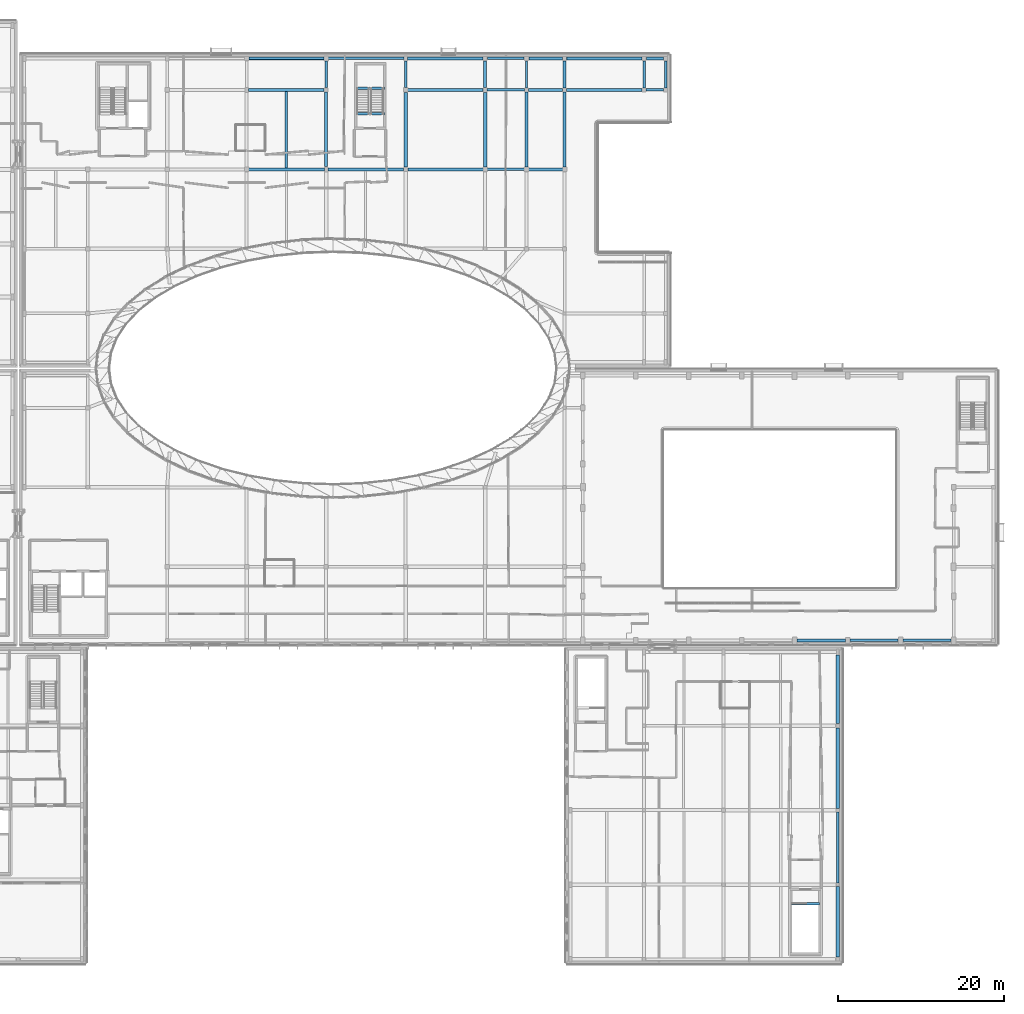
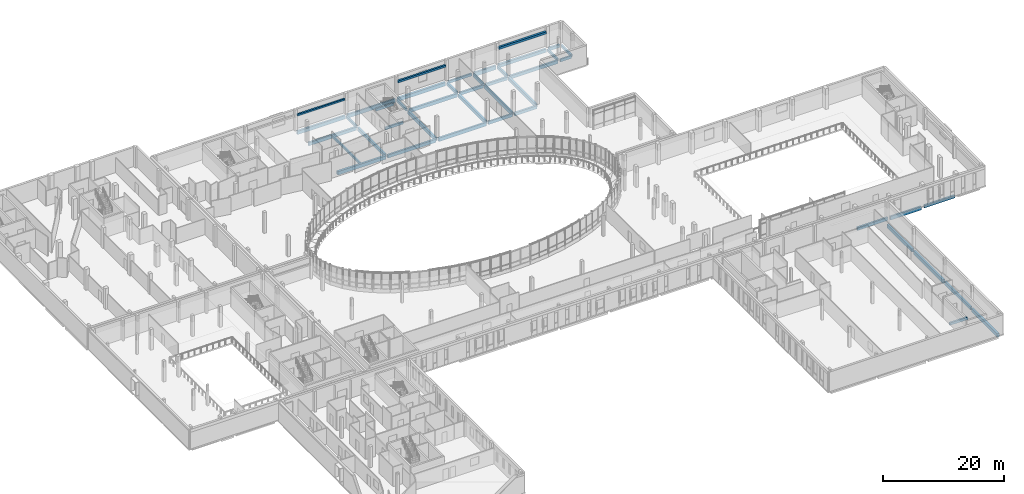
# One storey, part 28 of 84: 44 beams.
"""IFC4 building model written with IfcOpenShell, lengths in metres."""

from ifc_helpers import new_model, si_unit, direction, frame, origin, origin_2d, place, context, subcontext, project, spatial, rectangle, extrude, material, material_profile, profile_set, type_object, element, save


model = new_model("IFC4")

# Units and contexts
model_context = context("Model", 3, precision=1e-05, world=origin(), true_north=direction((0.0, 1.0)))
body_context = subcontext(model_context, "Body", "Model", "MODEL_VIEW")
ifc_project = project(units=[si_unit("LENGTHUNIT", "METRE"), si_unit("AREAUNIT", "SQUARE_METRE"), si_unit("VOLUMEUNIT", "CUBIC_METRE"), si_unit("PLANEANGLEUNIT", "RADIAN"), si_unit("MASSUNIT", "GRAM", prefix="KILO")], contexts=[model_context])

# Site, building, storey
site_placement = place(None, origin())
site = spatial("IfcSite", under=ifc_project, at=site_placement, CompositionType="ELEMENT")
building_placement = place(site_placement, origin())
building = spatial("IfcBuilding", under=site, at=building_placement, Name="Mzevani Central Library", CompositionType="ELEMENT")
storey_placement = place(building_placement, frame((0.0, 0.0, 5.39990234375)))
storey = spatial("IfcBuildingStorey", under=building, at=storey_placement, Name="L01", CompositionType="ELEMENT", Elevation=5.39990234375)

# Beams
ifc_material_1 = material(Name="Concrete C35/45", Category="concrete")
ifc_material_profile_1 = material_profile(ifc_material_1, rectangle(XDim=0.300048828125, YDim=0.5, at=origin_2d()), Name="RC B300x500")
ifc_profile_set_1 = profile_set([ifc_material_profile_1], Name="Concrete C35/45")
beam_type_1 = type_object("IfcBeamType", Name="Beam RC 300x500", PredefinedType="BEAM", material=ifc_profile_set_1)
beam_1_placement = place(storey_placement, frame((102.675048828125, 113.39990234375, -0.52978515625), z_axis=(1.0, 0.0, 0.0), x_axis=(0.0, 1.0, 0.0)))
element("IfcBeam", 1, at=beam_1_placement, inside=storey, type_object=beam_type_1, Name="L01 V3 Girder B-01 (488)", PredefinedType="BEAM", context=body_context, shape_type="SweptSolid", body=[
    extrude(rectangle(XDim=0.300048828125, YDim=0.5, at=origin_2d()), origin(), (0.0, 0.0, 1.0), 4.449951171875),
])
beam_2_placement = place(storey_placement, frame((92.800048828125, 109.89990234375, -0.52978515625), z_axis=(0.0, 1.0, 0.0), x_axis=(-1.0, 0.0, 0.0)))
element("IfcBeam", 2, at=beam_2_placement, inside=storey, type_object=beam_type_1, Name="L01 V3 Frame Beam B-01 (512)", PredefinedType="BEAM", context=body_context, shape_type="SweptSolid", body=[
    extrude(rectangle(XDim=0.300048828125, YDim=0.5, at=origin_2d()), origin(), (0.0, 0.0, 1.0), 3.175048828125),
])
beam_3_placement = place(storey_placement, frame((121.60009765625, 109.85009765625, -0.52978515625), z_axis=(0.0, 1.0, 0.0), x_axis=(-1.0, 0.0, 0.0)))
element("IfcBeam", 3, at=beam_3_placement, inside=storey, type_object=beam_type_1, Name="L01 V3 Frame Beam B-01 (528)", PredefinedType="BEAM", context=body_context, shape_type="SweptSolid", body=[
    extrude(rectangle(XDim=0.300048828125, YDim=0.5, at=origin_2d()), origin(), (0.0, 0.0, 1.0), 3.27490234375),
])
for number, where, z_axis, x_axis, name in (
    (4, (86.780029296875, 109.780029296875, 1.650146484375), (1.0, 0.0, 0.0), (0.0, 1.0, 0.0), "L01 Core C3B Atrium East Escape Stair Stair Landing Beam 1"),
    (5, (86.780029296875, 106.699951171875, -0.25), (1.0, 0.0, 0.0), (0.0, 1.0, 0.0), "L01 Core C3B Atrium East Escape Stair Stair Opening Trimmer Beam"),
):
    element("IfcBeam", number, at=place(storey_placement, frame(where, z_axis=z_axis, x_axis=x_axis)), inside=storey, type_object=beam_type_1, Name=name, PredefinedType="BEAM", context=body_context, shape_type="SweptSolid", body=[
        extrude(rectangle(XDim=0.300048828125, YDim=0.5, at=origin_2d()), origin(), (0.0, 0.0, 1.0), 3.43994140625),
    ])
beam_4_placement = place(storey_placement, frame((139.3798828125, 11.300048828125, -0.25), z_axis=(1.0, 0.0, 0.0), x_axis=(0.0, 1.0, 0.0)))
element("IfcBeam", 6, at=beam_4_placement, inside=storey, type_object=beam_type_1, Name="L01 Core C6B Children's Pavilion East Stair Stair Opening Trimmer Beam", PredefinedType="BEAM", context=body_context, shape_type="SweptSolid", body=[
    extrude(rectangle(XDim=0.300048828125, YDim=0.5, at=origin_2d()), origin(), (0.0, 0.0, 1.0), 3.440185546875),
])
ifc_material_profile_2 = material_profile(ifc_material_1, rectangle(XDim=0.300048828125, YDim=0.550048828125, at=origin_2d()), Name="RC B300x550")
ifc_profile_set_2 = profile_set([ifc_material_profile_2], Name="Concrete C35/45")
beam_type_2 = type_object("IfcBeamType", Name="Beam RC 300x550", PredefinedType="BEAM", material=ifc_profile_set_2)
beam_5_placement = place(storey_placement, frame((152.89990234375, 43.10009765625, -0.534912109375), z_axis=(1.0, 0.0, 0.0), x_axis=(0.0, 1.0, 0.0)))
element("IfcBeam", 7, at=beam_5_placement, inside=storey, type_object=beam_type_2, Name="L01 V1 Girder B-02 (13)", PredefinedType="BEAM", context=body_context, shape_type="SweptSolid", body=[
    extrude(rectangle(XDim=0.300048828125, YDim=0.550048828125, at=origin_2d()), origin(), (0.0, 0.0, 1.0), 5.800048828125),
])
beam_6_placement = place(storey_placement, frame((121.85009765625, 109.60009765625, -0.554931640625), z_axis=(1.0, 0.0, 0.0), x_axis=(0.0, 1.0, 0.0)))
element("IfcBeam", 8, at=beam_6_placement, inside=storey, type_object=beam_type_2, Name="L01 V3 Girder B-02 (481)", PredefinedType="BEAM", context=body_context, shape_type="SweptSolid", body=[
    extrude(rectangle(XDim=0.300048828125, YDim=0.550048828125, at=origin_2d()), origin(), (0.0, 0.0, 1.0), 2.099853515625),
])
beam_7_placement = place(storey_placement, frame((83.199951171875, 109.875, -0.554931640625), z_axis=(0.0, 1.0, 0.0), x_axis=(-1.0, 0.0, 0.0)))
element("IfcBeam", 9, at=beam_7_placement, inside=storey, type_object=beam_type_2, Name="L01 V3 Frame Beam B-02 (509)", PredefinedType="BEAM", context=body_context, shape_type="SweptSolid", body=[
    extrude(rectangle(XDim=0.300048828125, YDim=0.550048828125, at=origin_2d()), origin(), (0.0, 0.0, 1.0), 3.22509765625),
])
beam_8_placement = place(storey_placement, frame((124.199951171875, 109.85009765625, -0.554931640625), z_axis=(0.0, 1.0, 0.0), x_axis=(-1.0, 0.0, 0.0)))
element("IfcBeam", 10, at=beam_8_placement, inside=storey, type_object=beam_type_2, Name="L01 V3 Frame Beam B-02 (533)", PredefinedType="BEAM", context=body_context, shape_type="SweptSolid", body=[
    extrude(rectangle(XDim=0.300048828125, YDim=0.550048828125, at=origin_2d()), origin(), (0.0, 0.0, 1.0), 3.27490234375),
])
ifc_material_profile_3 = material_profile(ifc_material_1, rectangle(XDim=0.300048828125, YDim=0.60009765625, at=origin_2d()), Name="RC B300x600")
ifc_profile_set_3 = profile_set([ifc_material_profile_3], Name="Concrete C35/45")
beam_type_3 = type_object("IfcBeamType", Name="Beam RC 300x600", PredefinedType="BEAM", material=ifc_profile_set_3)
beam_9_placement = place(storey_placement, frame((102.60009765625, 100.0, -0.579833984375), z_axis=(1.0, 0.0, 0.0), x_axis=(0.0, 1.0, 0.0)))
element("IfcBeam", 11, at=beam_9_placement, inside=storey, type_object=beam_type_3, Name="L01 V3 Girder B-03 (470)", PredefinedType="BEAM", context=body_context, shape_type="SweptSolid", body=[
    extrude(rectangle(XDim=0.300048828125, YDim=0.60009765625, at=origin_2d()), origin(), (0.0, 0.0, 1.0), 4.599853515625),
])
beam_10_placement = place(storey_placement, frame((102.625, 109.60009765625, -0.579833984375), z_axis=(1.0, 0.0, 0.0), x_axis=(0.0, 1.0, 0.0)))
element("IfcBeam", 12, at=beam_10_placement, inside=storey, type_object=beam_type_3, Name="L01 V3 Girder B-03 (478)", PredefinedType="BEAM", context=body_context, shape_type="SweptSolid", body=[
    extrude(rectangle(XDim=0.300048828125, YDim=0.60009765625, at=origin_2d()), origin(), (0.0, 0.0, 1.0), 4.52490234375),
])
beam_11_placement = place(storey_placement, frame((107.39990234375, 109.85009765625, -0.579833984375), z_axis=(0.0, 1.0, 0.0), x_axis=(-1.0, 0.0, 0.0)))
element("IfcBeam", 13, at=beam_11_placement, inside=storey, type_object=beam_type_3, Name="L01 V3 Frame Beam B-03 (518)", PredefinedType="BEAM", context=body_context, shape_type="SweptSolid", body=[
    extrude(rectangle(XDim=0.300048828125, YDim=0.60009765625, at=origin_2d()), origin(), (0.0, 0.0, 1.0), 3.27490234375),
])
ifc_material_profile_4 = material_profile(ifc_material_1, rectangle(XDim=0.35009765625, YDim=0.60009765625, at=origin_2d()), Name="RC B350x600")
ifc_profile_set_4 = profile_set([ifc_material_profile_4], Name="Concrete C35/45")
beam_type_4 = type_object("IfcBeamType", Name="Beam RC 350x600", PredefinedType="BEAM", material=ifc_profile_set_4)
beam_12_placement = place(storey_placement, frame((140.10009765625, 43.10009765625, -0.559814453125), z_axis=(1.0, 0.0, 0.0), x_axis=(0.0, 1.0, 0.0)))
element("IfcBeam", 14, at=beam_12_placement, inside=storey, type_object=beam_type_4, Name="L01 V1 Girder B-04 (11)", PredefinedType="BEAM", context=body_context, shape_type="SweptSolid", body=[
    extrude(rectangle(XDim=0.35009765625, YDim=0.60009765625, at=origin_2d()), origin(), (0.0, 0.0, 1.0), 5.849853515625),
])
beam_13_placement = place(storey_placement, frame((107.60009765625, 100.0, -0.579833984375), z_axis=(1.0, 0.0, 0.0), x_axis=(0.0, 1.0, 0.0)))
element("IfcBeam", 15, at=beam_13_placement, inside=storey, type_object=beam_type_4, Name="L01 V3 Girder B-04 (471)", PredefinedType="BEAM", context=body_context, shape_type="SweptSolid", body=[
    extrude(rectangle(XDim=0.35009765625, YDim=0.60009765625, at=origin_2d()), origin(), (0.0, 0.0, 1.0), 4.199951171875),
])
beam_14_placement = place(storey_placement, frame((107.64990234375, 109.60009765625, -0.579833984375), z_axis=(1.0, 0.0, 0.0), x_axis=(0.0, 1.0, 0.0)))
element("IfcBeam", 16, at=beam_14_placement, inside=storey, type_object=beam_type_4, Name="L01 V3 Girder B-04 (479)", PredefinedType="BEAM", context=body_context, shape_type="SweptSolid", body=[
    extrude(rectangle(XDim=0.35009765625, YDim=0.60009765625, at=origin_2d()), origin(), (0.0, 0.0, 1.0), 4.10009765625),
])
beam_15_placement = place(storey_placement, frame((121.875, 113.39990234375, -0.579833984375), z_axis=(1.0, 0.0, 0.0), x_axis=(0.0, 1.0, 0.0)))
element("IfcBeam", 17, at=beam_15_placement, inside=storey, type_object=beam_type_4, Name="L01 V3 Girder B-04 (491)", PredefinedType="BEAM", context=body_context, shape_type="SweptSolid", body=[
    extrude(rectangle(XDim=0.35009765625, YDim=0.60009765625, at=origin_2d()), origin(), (0.0, 0.0, 1.0), 2.050048828125),
])
beam_16_placement = place(storey_placement, frame((102.39990234375, 109.925048828125, -0.579833984375), z_axis=(0.0, 1.0, 0.0), x_axis=(-1.0, 0.0, 0.0)))
element("IfcBeam", 18, at=beam_16_placement, inside=storey, type_object=beam_type_4, Name="L01 V3 Frame Beam B-04 (515)", PredefinedType="BEAM", context=body_context, shape_type="SweptSolid", body=[
    extrude(rectangle(XDim=0.35009765625, YDim=0.60009765625, at=origin_2d()), origin(), (0.0, 0.0, 1.0), 3.199951171875),
])
beam_17_placement = place(storey_placement, frame((112.0, 109.85009765625, -0.579833984375), z_axis=(0.0, 1.0, 0.0), x_axis=(-1.0, 0.0, 0.0)))
element("IfcBeam", 19, at=beam_17_placement, inside=storey, type_object=beam_type_4, Name="L01 V3 Frame Beam B-04 (523)", PredefinedType="BEAM", context=body_context, shape_type="SweptSolid", body=[
    extrude(rectangle(XDim=0.35009765625, YDim=0.60009765625, at=origin_2d()), origin(), (0.0, 0.0, 1.0), 3.27490234375),
])
ifc_material_profile_5 = material_profile(ifc_material_1, rectangle(XDim=0.35009765625, YDim=0.64990234375, at=origin_2d()), Name="RC B350x650")
ifc_profile_set_5 = profile_set([ifc_material_profile_5], Name="Concrete C35/45")
beam_type_5 = type_object("IfcBeamType", Name="Beam RC 350x650", PredefinedType="BEAM", material=ifc_profile_set_5)
beam_18_placement = place(storey_placement, frame((83.425048828125, 100.0, -0.60498046875), z_axis=(1.0, 0.0, 0.0), x_axis=(0.0, 1.0, 0.0)))
element("IfcBeam", 20, at=beam_18_placement, inside=storey, type_object=beam_type_5, Name="L01 V3 Girder B-05 (468)", PredefinedType="BEAM", context=body_context, shape_type="SweptSolid", body=[
    extrude(rectangle(XDim=0.35009765625, YDim=0.64990234375, at=origin_2d()), origin(), (0.0, 0.0, 1.0), 9.099853515625),
])
for number, where, z_axis, x_axis, name in (
    (21, (73.824951171875, 109.60009765625, -0.60498046875), (1.0, 0.0, 0.0), (0.0, 1.0, 0.0), "L01 V3 Girder B-05 (476)"),
    (22, (112.25, 109.60009765625, -0.60498046875), (1.0, 0.0, 0.0), (0.0, 1.0, 0.0), "L01 V3 Girder B-05 (480)"),
):
    element("IfcBeam", number, at=place(storey_placement, frame(where, z_axis=z_axis, x_axis=x_axis)), inside=storey, type_object=beam_type_5, Name=name, PredefinedType="BEAM", context=body_context, shape_type="SweptSolid", body=[
        extrude(rectangle(XDim=0.35009765625, YDim=0.64990234375, at=origin_2d()), origin(), (0.0, 0.0, 1.0), 9.10009765625),
    ])
beam_19_placement = place(storey_placement, frame((83.199951171875, 100.324951171875, -0.60498046875), z_axis=(0.0, 1.0, 0.0), x_axis=(-1.0, 0.0, 0.0)))
element("IfcBeam", 23, at=beam_19_placement, inside=storey, type_object=beam_type_5, Name="L01 V3 Frame Beam B-05 (508)", PredefinedType="BEAM", context=body_context, shape_type="SweptSolid", body=[
    extrude(rectangle(XDim=0.35009765625, YDim=0.64990234375, at=origin_2d()), origin(), (0.0, 0.0, 1.0), 9.0),
])
beam_20_placement = place(storey_placement, frame((145.0, 13.800048828125, -0.5849609375), z_axis=(0.0, 1.0, 0.0), x_axis=(-1.0, 0.0, 0.0)))
element("IfcBeam", 24, at=beam_20_placement, inside=storey, type_object=beam_type_5, Name="L01 V6 Frame Beam B-05 (1064)", PredefinedType="BEAM", context=body_context, shape_type="SweptSolid", body=[
    extrude(rectangle(XDim=0.35009765625, YDim=0.64990234375, at=origin_2d()), origin(), (0.0, 0.0, 1.0), 8.574951171875),
])
ifc_material_profile_6 = material_profile(ifc_material_1, rectangle(XDim=0.35009765625, YDim=0.699951171875, at=origin_2d()), Name="RC B350x700")
ifc_profile_set_6 = profile_set([ifc_material_profile_6], Name="Concrete C35/45")
beam_type_6 = type_object("IfcBeamType", Name="Beam RC 350x700", PredefinedType="BEAM", material=ifc_profile_set_6)
beam_21_placement = place(storey_placement, frame((93.074951171875, 100.0, -0.6298828125), z_axis=(1.0, 0.0, 0.0), x_axis=(0.0, 1.0, 0.0)))
element("IfcBeam", 25, at=beam_21_placement, inside=storey, type_object=beam_type_6, Name="L01 V3 Girder B-06 (469)", PredefinedType="BEAM", context=body_context, shape_type="SweptSolid", body=[
    extrude(rectangle(XDim=0.35009765625, YDim=0.699951171875, at=origin_2d()), origin(), (0.0, 0.0, 1.0), 9.125),
])
beam_22_placement = place(storey_placement, frame((93.0, 109.60009765625, -0.6298828125), z_axis=(1.0, 0.0, 0.0), x_axis=(0.0, 1.0, 0.0)))
element("IfcBeam", 26, at=beam_22_placement, inside=storey, type_object=beam_type_6, Name="L01 V3 Girder B-06 (477)", PredefinedType="BEAM", context=body_context, shape_type="SweptSolid", body=[
    extrude(rectangle(XDim=0.35009765625, YDim=0.699951171875, at=origin_2d()), origin(), (0.0, 0.0, 1.0), 9.175048828125),
])
beam_23_placement = place(storey_placement, frame((73.875, 113.39990234375, -0.6298828125), z_axis=(1.0, 0.0, 0.0), x_axis=(0.0, 1.0, 0.0)))
element("IfcBeam", 27, at=beam_23_placement, inside=storey, type_object=beam_type_6, Name="L01 V3 Girder B-06 (485)", PredefinedType="BEAM", context=body_context, shape_type="SweptSolid", body=[
    extrude(rectangle(XDim=0.35009765625, YDim=0.699951171875, at=origin_2d()), origin(), (0.0, 0.0, 1.0), 9.125),
])
beam_24_placement = place(storey_placement, frame((107.39990234375, 100.300048828125, -0.6298828125), z_axis=(0.0, 1.0, 0.0), x_axis=(-1.0, 0.0, 0.0)))
element("IfcBeam", 28, at=beam_24_placement, inside=storey, type_object=beam_type_6, Name="L01 V3 Frame Beam B-06 (517)", PredefinedType="BEAM", context=body_context, shape_type="SweptSolid", body=[
    extrude(rectangle(XDim=0.35009765625, YDim=0.699951171875, at=origin_2d()), origin(), (0.0, 0.0, 1.0), 9.050048828125),
])
ifc_material_profile_7 = material_profile(ifc_material_1, rectangle(XDim=0.39990234375, YDim=0.64990234375, at=origin_2d()), Name="RC B400x650")
ifc_profile_set_7 = profile_set([ifc_material_profile_7], Name="Concrete C35/45")
beam_type_7 = type_object("IfcBeamType", Name="Beam RC 400x650", PredefinedType="BEAM", material=ifc_profile_set_7)
beam_25_placement = place(storey_placement, frame((112.27490234375, 113.39990234375, -0.60498046875), z_axis=(1.0, 0.0, 0.0), x_axis=(0.0, 1.0, 0.0)))
element("IfcBeam", 29, at=beam_25_placement, inside=storey, type_object=beam_type_7, Name="L01 V3 Girder B-07 (490)", PredefinedType="BEAM", context=body_context, shape_type="SweptSolid", body=[
    extrude(rectangle(XDim=0.39990234375, YDim=0.64990234375, at=origin_2d()), origin(), (0.0, 0.0, 1.0), 9.050048828125),
])
beam_26_placement = place(storey_placement, frame((102.39990234375, 100.300048828125, -0.60498046875), z_axis=(0.0, 1.0, 0.0), x_axis=(-1.0, 0.0, 0.0)))
element("IfcBeam", 30, at=beam_26_placement, inside=storey, type_object=beam_type_7, Name="L01 V3 Frame Beam B-07 (514)", PredefinedType="BEAM", context=body_context, shape_type="SweptSolid", body=[
    extrude(rectangle(XDim=0.39990234375, YDim=0.64990234375, at=origin_2d()), origin(), (0.0, 0.0, 1.0), 8.974853515625),
])
beam_27_placement = place(storey_placement, frame((112.0, 100.300048828125, -0.60498046875), z_axis=(0.0, 1.0, 0.0), x_axis=(-1.0, 0.0, 0.0)))
element("IfcBeam", 31, at=beam_27_placement, inside=storey, type_object=beam_type_7, Name="L01 V3 Frame Beam B-07 (522)", PredefinedType="BEAM", context=body_context, shape_type="SweptSolid", body=[
    extrude(rectangle(XDim=0.39990234375, YDim=0.64990234375, at=origin_2d()), origin(), (0.0, 0.0, 1.0), 9.050048828125),
])
beam_28_placement = place(storey_placement, frame((145.0, 33.050048828125, -0.5849609375), z_axis=(0.0, 1.0, 0.0), x_axis=(-1.0, 0.0, 0.0)))
element("IfcBeam", 32, at=beam_28_placement, inside=storey, type_object=beam_type_7, Name="L01 V6 Frame Beam B-07 (1066)", PredefinedType="BEAM", context=body_context, shape_type="SweptSolid", body=[
    extrude(rectangle(XDim=0.39990234375, YDim=0.64990234375, at=origin_2d()), origin(), (0.0, 0.0, 1.0), 8.300048828125),
])
ifc_material_profile_8 = material_profile(ifc_material_1, rectangle(XDim=0.39990234375, YDim=0.699951171875, at=origin_2d()), Name="RC B400x700")
ifc_profile_set_8 = profile_set([ifc_material_profile_8], Name="Concrete C35/45")
beam_type_8 = type_object("IfcBeamType", Name="Beam RC 400x700", PredefinedType="BEAM", material=ifc_profile_set_8)
beam_29_placement = place(storey_placement, frame((73.800048828125, 100.0, -0.6298828125), z_axis=(1.0, 0.0, 0.0), x_axis=(0.0, 1.0, 0.0)))
element("IfcBeam", 33, at=beam_29_placement, inside=storey, type_object=beam_type_8, Name="L01 V3 Girder B-08 (467)", PredefinedType="BEAM", context=body_context, shape_type="SweptSolid", body=[
    extrude(rectangle(XDim=0.39990234375, YDim=0.699951171875, at=origin_2d()), origin(), (0.0, 0.0, 1.0), 9.175048828125),
])
beam_30_placement = place(storey_placement, frame((93.02490234375, 113.39990234375, -0.6298828125), z_axis=(1.0, 0.0, 0.0), x_axis=(0.0, 1.0, 0.0)))
element("IfcBeam", 34, at=beam_30_placement, inside=storey, type_object=beam_type_8, Name="L01 V3 Girder B-08 (487)", PredefinedType="BEAM", context=body_context, shape_type="SweptSolid", body=[
    extrude(rectangle(XDim=0.39990234375, YDim=0.699951171875, at=origin_2d()), origin(), (0.0, 0.0, 1.0), 9.10009765625),
])
beam_31_placement = place(storey_placement, frame((92.800048828125, 100.27490234375, -0.6298828125), z_axis=(0.0, 1.0, 0.0), x_axis=(-1.0, 0.0, 0.0)))
element("IfcBeam", 35, at=beam_31_placement, inside=storey, type_object=beam_type_8, Name="L01 V3 Frame Beam B-08 (511)", PredefinedType="BEAM", context=body_context, shape_type="SweptSolid", body=[
    extrude(rectangle(XDim=0.39990234375, YDim=0.699951171875, at=origin_2d()), origin(), (0.0, 0.0, 1.0), 9.025146484375),
])
beam_32_placement = place(storey_placement, frame((145.0, 4.85009765625, -0.60986328125), z_axis=(0.0, 1.0, 0.0), x_axis=(-1.0, 0.0, 0.0)))
element("IfcBeam", 36, at=beam_32_placement, inside=storey, type_object=beam_type_8, Name="L01 V6 Frame Beam B-08 (1063)", PredefinedType="BEAM", context=body_context, shape_type="SweptSolid", body=[
    extrude(rectangle(XDim=0.39990234375, YDim=0.699951171875, at=origin_2d()), origin(), (0.0, 0.0, 1.0), 8.5498046875),
])
ifc_material_profile_9 = material_profile(ifc_material_1, rectangle(XDim=0.39990234375, YDim=0.75, at=origin_2d()), Name="RC B400x750")
ifc_profile_set_9 = profile_set([ifc_material_profile_9], Name="Concrete C35/45")
beam_type_9 = type_object("IfcBeamType", Name="Beam RC 400x750", PredefinedType="BEAM", material=ifc_profile_set_9)
beam_33_placement = place(storey_placement, frame((145.0, 22.824951171875, -0.635009765625), z_axis=(0.0, 1.0, 0.0), x_axis=(-1.0, 0.0, 0.0)))
element("IfcBeam", 37, at=beam_33_placement, inside=storey, type_object=beam_type_9, Name="L01 V6 Frame Beam B-09 (1065)", PredefinedType="BEAM", context=body_context, shape_type="SweptSolid", body=[
    extrude(rectangle(XDim=0.39990234375, YDim=0.75, at=origin_2d()), origin(), (0.0, 0.0, 1.0), 9.72509765625),
])
ifc_material_2 = material(Name="Precast concrete C40/50", Category="concrete")
ifc_material_profile_10 = material_profile(ifc_material_2, rectangle(XDim=0.35009765625, YDim=0.800048828125, at=origin_2d()), Name="RC SP350x800")
ifc_profile_set_10 = profile_set([ifc_material_profile_10], Name="Precast concrete C40/50")
beam_type_10 = type_object("IfcBeamType", Name="Colonnade Fascia Beam RC 350x800", PredefinedType="SPANDREL", material=ifc_profile_set_10)
beam_34_placement = place(storey_placement, frame((107.675048828125, 113.39990234375, -0.679931640625), z_axis=(1.0, 0.0, 0.0), x_axis=(0.0, 1.0, 0.0)))
element("IfcBeam", 38, at=beam_34_placement, inside=storey, type_object=beam_type_10, Name="L01 V3 Girder SP-02 (489)", PredefinedType="SPANDREL", context=body_context, shape_type="SweptSolid", body=[
    extrude(rectangle(XDim=0.35009765625, YDim=0.800048828125, at=origin_2d()), origin(), (0.0, 0.0, 1.0), 4.050048828125),
])
ifc_material_profile_11 = material_profile(ifc_material_2, rectangle(XDim=0.300048828125, YDim=0.75, at=origin_2d()), Name="RC SP300x750")
ifc_profile_set_11 = profile_set([ifc_material_profile_11], Name="Precast concrete C40/50")
beam_type_11 = type_object("IfcBeamType", Name="Edge Spandrel Beam RC 300x750", PredefinedType="SPANDREL", material=ifc_profile_set_11)
beam_35_placement = place(storey_placement, frame((146.449951171875, 43.10009765625, -0.635009765625), z_axis=(1.0, 0.0, 0.0), x_axis=(0.0, 1.0, 0.0)))
element("IfcBeam", 39, at=beam_35_placement, inside=storey, type_object=beam_type_11, Name="L01 V1 Girder SP-01 (12)", PredefinedType="SPANDREL", context=body_context, shape_type="SweptSolid", body=[
    extrude(rectangle(XDim=0.300048828125, YDim=0.75, at=origin_2d()), origin(), (0.0, 0.0, 1.0), 5.85009765625),
])
beam_36_placement = place(storey_placement, frame((83.39990234375, 113.39990234375, -0.65478515625), z_axis=(1.0, 0.0, 0.0), x_axis=(0.0, 1.0, 0.0)))
element("IfcBeam", 40, at=beam_36_placement, inside=storey, type_object=beam_type_11, Name="L01 V3 Girder SP-01 (486)", PredefinedType="SPANDREL", context=body_context, shape_type="SweptSolid", body=[
    extrude(rectangle(XDim=0.300048828125, YDim=0.75, at=origin_2d()), origin(), (0.0, 0.0, 1.0), 9.175048828125),
])
ifc_material_profile_12 = material_profile(ifc_material_1, rectangle(XDim=0.300048828125, YDim=0.449951171875, at=origin_2d()), Name="RC J300x450")
ifc_profile_set_12 = profile_set([ifc_material_profile_12], Name="Concrete C35/45")
beam_type_12 = type_object("IfcBeamType", Name="Floor Joist RC 300x450", PredefinedType="JOIST", material=ifc_profile_set_12)
beam_37_placement = place(storey_placement, frame((78.375, 100.199951171875, -0.5048828125), z_axis=(0.0, 1.0, 0.0), x_axis=(-1.0, 0.0, 0.0)))
element("IfcBeam", 41, at=beam_37_placement, inside=storey, type_object=beam_type_12, Name="L01 V3 Floor Joist BJ-03 (545)", PredefinedType="JOIST", context=body_context, shape_type="SweptSolid", body=[
    extrude(rectangle(XDim=0.300048828125, YDim=0.449951171875, at=origin_2d()), origin(), (0.0, 0.0, 1.0), 9.22509765625),
])
ifc_material_profile_13 = material_profile(ifc_material_2, rectangle(XDim=0.39990234375, YDim=0.449951171875, at=origin_2d()), Name="PC LN400x450")
ifc_profile_set_13 = profile_set([ifc_material_profile_13], Name="Precast concrete C40/50")
beam_type_13 = type_object("IfcBeamType", Name="Precast Portal Lintel 400x450", PredefinedType="LINTEL", material=ifc_profile_set_13)
beam_38_placement = place(storey_placement, frame((112.25, 113.39990234375, 2.97509765625), z_axis=(1.0, 0.0, 0.0), x_axis=(0.0, 1.0, 0.0)))
element("IfcBeam", 42, at=beam_38_placement, inside=storey, type_object=beam_type_13, Name="L01 V3 Precast Portal Lintel (42)", PredefinedType="LINTEL", context=body_context, shape_type="SweptSolid", body=[
    extrude(rectangle(XDim=0.39990234375, YDim=0.449951171875, at=origin_2d()), origin(), (0.0, 0.0, 1.0), 9.10009765625),
])
ifc_material_profile_14 = material_profile(ifc_material_2, rectangle(XDim=0.300048828125, YDim=0.35009765625, at=origin_2d()), Name="PC LN300x350")
ifc_profile_set_14 = profile_set([ifc_material_profile_14], Name="Precast concrete C40/50")
beam_type_14 = type_object("IfcBeamType", Name="Precast Window Lintel 300x350", PredefinedType="LINTEL", material=ifc_profile_set_14)
beam_39_placement = place(storey_placement, frame((73.85009765625, 113.39990234375, 2.925048828125), z_axis=(1.0, 0.0, 0.0), x_axis=(0.0, 1.0, 0.0)))
element("IfcBeam", 43, at=beam_39_placement, inside=storey, type_object=beam_type_14, Name="L01 V3 Precast Portal Lintel (40)", PredefinedType="LINTEL", context=body_context, shape_type="SweptSolid", body=[
    extrude(rectangle(XDim=0.300048828125, YDim=0.35009765625, at=origin_2d()), origin(), (0.0, 0.0, 1.0), 9.074951171875),
])
ifc_material_profile_15 = material_profile(ifc_material_2, rectangle(XDim=0.35009765625, YDim=0.39990234375, at=origin_2d()), Name="PC LN350x400")
ifc_profile_set_15 = profile_set([ifc_material_profile_15], Name="Precast concrete C40/50")
beam_type_15 = type_object("IfcBeamType", Name="Precast Window Lintel 350x400", PredefinedType="LINTEL", material=ifc_profile_set_15)
beam_40_placement = place(storey_placement, frame((93.0, 113.39990234375, 2.9501953125), z_axis=(1.0, 0.0, 0.0), x_axis=(0.0, 1.0, 0.0)))
element("IfcBeam", 44, at=beam_40_placement, inside=storey, type_object=beam_type_15, Name="L01 V3 Precast Portal Lintel (41)", PredefinedType="LINTEL", context=body_context, shape_type="SweptSolid", body=[
    extrude(rectangle(XDim=0.35009765625, YDim=0.39990234375, at=origin_2d()), origin(), (0.0, 0.0, 1.0), 9.14990234375),
])

save(model, "model.ifc")
